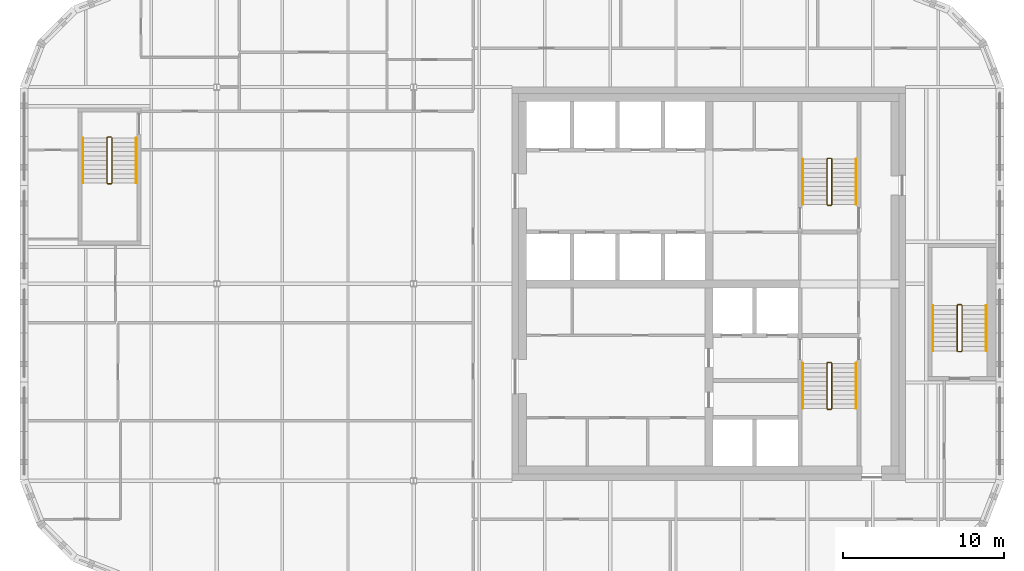
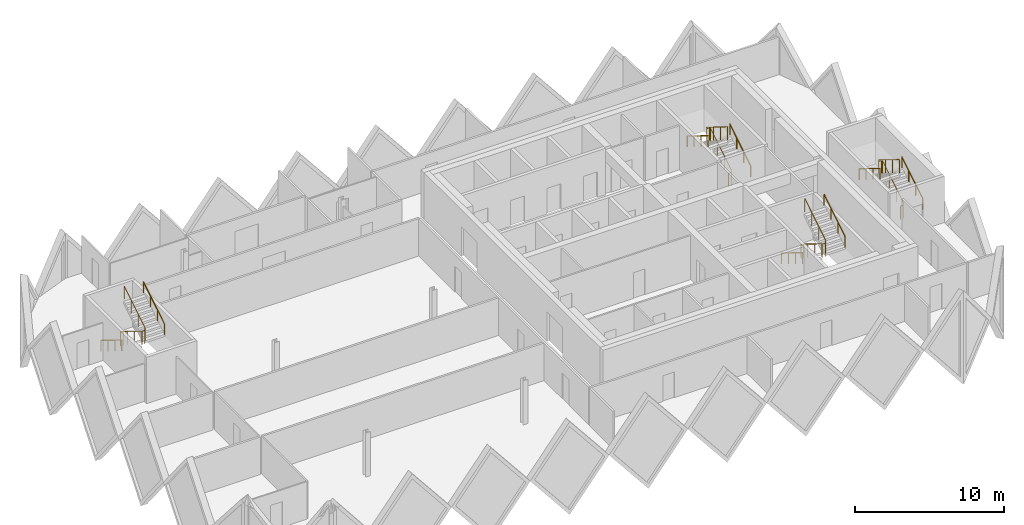
# One storey, part 10 of 10: 12 railings.
"""IFC4 building model written with IfcOpenShell, lengths in metres."""

import ifcopenshell
import ifcopenshell.guid

model = None  # the IFC model being written
_history = None  # IfcOwnerHistory: only IFC2X3 demands one
_inside = {}  # id of a spatial element -> (the spatial element, [elements in it])
_under = {}  # id of a project, library or spatial element -> (it, [spatial elements below it])
_declared = {}  # id of a project -> (the project, [libraries it declares])
_typed = {}  # id of a type object -> (the type object, [elements of that type])
_made_of = {}  # id of a material, layer set ... -> (it, [elements and type objects made of it])


def new_model(schema):
    """Start an empty IFC model of exactly this schema.

    Asked for "IFC4X3", IfcOpenShell would pick the latest addendum, in which some entities
    have other attributes; the version numbers below select the first issue.
    IFC2X3 requires an IfcOwnerHistory on every rooted entity: one is made here for all.
    """
    global model, _history
    if schema == "IFC4X3":
        model = ifcopenshell.file(schema_version=(4, 3, 0, 0))
    else:
        model = ifcopenshell.file(schema=schema)
    _inside.clear()
    _under.clear()
    _declared.clear()
    _typed.clear()
    _made_of.clear()
    _history = None
    if model.schema == "IFC2X3":
        org = make("IfcOrganization", Name="unknown")
        user = make(
            "IfcPersonAndOrganization",
            ThePerson=make("IfcPerson", FamilyName="unknown"),
            TheOrganization=org,
        )
        app = make(
            "IfcApplication",
            ApplicationDeveloper=org,
            Version="unknown",
            ApplicationFullName="unknown",
            ApplicationIdentifier="unknown",
        )
        _history = make(
            "IfcOwnerHistory",
            OwningUser=user,
            OwningApplication=app,
            ChangeAction="ADDED",
            CreationDate=0,
        )
    return model


def make(cls, **values):
    """One entity of the class cls with the attributes given. An attribute that is None is left unset."""
    return model.create_entity(
        cls, **{name: value for name, value in values.items() if value is not None}
    )


def rooted(cls, **values):
    """An entity with a GlobalId (a new one), such as an element, a storey or a relation."""
    return make(cls, GlobalId=ifcopenshell.guid.new(), OwnerHistory=_history, **values)


def si_unit(unit_type, name, prefix=None):
    """IfcSIUnit, for example si_unit("LENGTHUNIT", "METRE", prefix="MILLI")."""
    return make("IfcSIUnit", UnitType=unit_type, Prefix=prefix, Name=name)


def assignment(units):
    """IfcUnitAssignment: the units of a project."""
    return None if units is None else make("IfcUnitAssignment", Units=units)


def point(xyz):
    """IfcCartesianPoint."""
    return None if xyz is None else make("IfcCartesianPoint", Coordinates=xyz)


def direction(xyz):
    """IfcDirection."""
    return None if xyz is None else make("IfcDirection", DirectionRatios=xyz)


def frame(location, z_axis=None, x_axis=None):
    """IfcAxis2Placement3D, a coordinate frame: its origin and axes. An axis left out is left unset."""
    return make(
        "IfcAxis2Placement3D",
        Location=point(location),
        Axis=direction(z_axis),
        RefDirection=direction(x_axis),
    )


def frame_2d(location, x_axis=None):
    """IfcAxis2Placement2D, a coordinate frame in the plane: its origin and x axis."""
    return make(
        "IfcAxis2Placement2D", Location=point(location), RefDirection=direction(x_axis)
    )


def origin():
    """The frame at (0, 0, 0) with its axes left unset."""
    return frame((0.0, 0.0, 0.0))


def origin_2d():
    """The frame at (0, 0) in the plane with its x axis left unset."""
    return frame_2d((0.0, 0.0))


def place(relative_to, where):
    """IfcLocalPlacement: puts the frame where relative to a parent placement (None: the world)."""
    return make(
        "IfcLocalPlacement", PlacementRelTo=relative_to, RelativePlacement=where
    )


def context(
    kind, dimensions, precision=None, world=None, true_north=None, identifier=None
):
    """IfcGeometricRepresentationContext, for example the 3D "Model" context."""
    return make(
        "IfcGeometricRepresentationContext",
        ContextIdentifier=identifier,
        ContextType=kind,
        CoordinateSpaceDimension=dimensions,
        Precision=precision,
        WorldCoordinateSystem=world,
        TrueNorth=true_north,
    )


def subcontext(parent, identifier, kind, view, scale=None):
    """IfcGeometricRepresentationSubContext, for example "Body" below "Model"."""
    return make(
        "IfcGeometricRepresentationSubContext",
        ContextIdentifier=identifier,
        ContextType=kind,
        ParentContext=parent,
        TargetScale=scale,
        TargetView=view,
    )


def project(units=None, contexts=None):
    """IfcProject with its units and contexts."""
    return rooted(
        "IfcProject",
        Name="project",
        RepresentationContexts=contexts,
        UnitsInContext=assignment(units),
    )


def spatial(cls, under=None, at=None, **own):
    """A site, building, storey or space (cls), placed at a placement, below another one or the project."""
    s = rooted(cls, ObjectPlacement=at, **own)
    if under is not None:
        _under.setdefault(under.id(), (under, []))[1].append(s)
    return s


def profile(cls, at=None, kind="AREA", **sizes):
    """A parametric profile (cls). Its sizes go by their IFC names, for example OverallWidth=200.0."""
    return make(cls, ProfileType=kind, Position=at, **sizes)


def circle(**sizes):
    """IfcCircleProfileDef."""
    return profile("IfcCircleProfileDef", **sizes)


def extrude(swept, where, along, depth):
    """IfcExtrudedAreaSolid: the profile swept, set in the frame where, extruded along a direction by depth."""
    return make(
        "IfcExtrudedAreaSolid",
        SweptArea=swept,
        Position=where,
        ExtrudedDirection=direction(along),
        Depth=depth,
    )


def shape(context_of_items, identifier, shape_type, items):
    """IfcShapeRepresentation: the items that make up one representation, for example the "Body"."""
    return make(
        "IfcShapeRepresentation",
        ContextOfItems=context_of_items,
        RepresentationIdentifier=identifier,
        RepresentationType=shape_type,
        Items=items,
    )


def material(Name=None, Category=None):
    """IfcMaterial."""
    return make("IfcMaterial", Name=Name, Category=Category)


def made_of(thing, what):
    """Note that an element or type object is made of a material, layer set ...; save() writes the relation."""
    if what is not None:
        _made_of.setdefault(what.id(), (what, []))[1].append(thing)
    return thing


def type_object(cls, material=None, **own):
    """A type object (cls), such as IfcWallType, which elements share."""
    return made_of(rooted(cls, **own), material)


def element(
    cls,
    number,
    at=None,
    inside=None,
    cuts=None,
    type_object=None,
    material=None,
    context=None,
    identifier="Body",
    shape_type=None,
    held_by="IfcProductDefinitionShape",
    body=None,
    shapes=None,
    **own,
):
    """One element of the class cls, such as IfcWall. Its Tag is "e" and its number.

    at: its placement. inside: the storey or other place that contains it. cuts: it is an
    opening in that element (IfcRelVoidsElement). A single representation is given by context,
    identifier, shape_type and body (its items); several are given by shapes. held_by: the class
    of the entity that holds the representations. save() writes the other relations.
    """
    e = rooted(cls, Tag="e%d" % number, ObjectPlacement=at, **own)
    if body is not None:
        shapes = [shape(context, identifier, shape_type, body)]
    if shapes is not None:
        e.Representation = make(held_by, Representations=shapes)
    if inside is not None:
        _inside.setdefault(inside.id(), (inside, []))[1].append(e)
    if cuts is not None:
        rooted(
            "IfcRelVoidsElement", RelatingBuildingElement=cuts, RelatedOpeningElement=e
        )
    if type_object is not None:
        _typed.setdefault(type_object.id(), (type_object, []))[1].append(e)
    return made_of(e, material)


def aggregate(whole, parts):
    """IfcRelAggregates: a whole, such as a stair, and the parts it consists of."""
    return rooted("IfcRelAggregates", RelatingObject=whole, RelatedObjects=parts)


def save(model, path):
    """Write the relations noted so far, then the file.

    IfcRelAggregates (storeys below a building ...), IfcRelContainedInSpatialStructure (elements
    in a storey), IfcRelDefinesByType, IfcRelAssociatesMaterial and IfcRelDeclares: one each for
    every whole, place, type object, material and project.
    """
    for whole, parts in _under.values():
        aggregate(whole, parts)
    for where, things in _inside.values():
        rooted(
            "IfcRelContainedInSpatialStructure",
            RelatedElements=things,
            RelatingStructure=where,
        )
    for kind, things in _typed.values():
        rooted("IfcRelDefinesByType", RelatedObjects=things, RelatingType=kind)
    for what, things in _made_of.values():
        rooted("IfcRelAssociatesMaterial", RelatedObjects=things, RelatingMaterial=what)
    for by, libraries in _declared.values():
        rooted("IfcRelDeclares", RelatingContext=by, RelatedDefinitions=libraries)
    model.write(path)


model = new_model("IFC4")

# Units and contexts
model_context = context("Model", 3, precision=1e-05, world=origin(), true_north=direction((0.0, 1.0)))
body_context = subcontext(model_context, "Body", "Model", "MODEL_VIEW")
ifc_project = project(units=[si_unit("LENGTHUNIT", "METRE"), si_unit("AREAUNIT", "SQUARE_METRE"), si_unit("VOLUMEUNIT", "CUBIC_METRE"), si_unit("PLANEANGLEUNIT", "RADIAN"), si_unit("MASSUNIT", "GRAM", prefix="KILO")], contexts=[model_context])

# Site, building, storey
site_placement = place(None, origin())
site = spatial("IfcSite", under=ifc_project, at=site_placement, CompositionType="ELEMENT")
building_placement = place(site_placement, origin())
building = spatial("IfcBuilding", under=site, at=building_placement, Name="Tessera Gate Towers", CompositionType="ELEMENT")
storey_placement = place(building_placement, frame((0.0, 0.0, 244.5)))
storey = spatial("IfcBuildingStorey", under=building, at=storey_placement, Name="L61", CompositionType="ELEMENT", Elevation=244.5)

# Railings
ifc_material_1 = material(Name="Steel 350W", Category="steel")
railing_type_1 = type_object("IfcRailingType", Name="STAIR GUARD 1100", PredefinedType="GUARDRAIL", material=ifc_material_1)
railing_1_placement = place(storey_placement, frame((50.27490234375, 31.72509765625, 0.0)))
element("IfcRailing", 1, at=railing_1_placement, inside=storey, type_object=railing_type_1, Name="L61 ST1 stair guard 1", PredefinedType="GUARDRAIL", context=body_context, shape_type="SweptSolid", body=[
    extrude(circle(Radius=0.02392578125, at=origin_2d()), frame((0.0, 0.0, 1.076171875), z_axis=(-1.0, 0.0, 0.0), x_axis=(0.0, -1.0, 0.0)), (0.0, 0.0, 1.0), 0.199951171875),
    extrude(circle(Radius=0.02392578125, at=origin_2d()), frame((-0.199951171875, 0.0, 1.076171875), z_axis=(-0.268277960024, -0.268277960024, 0.925231793839), x_axis=(0.707106781187, -0.707106781187, 0.0)), (0.0, 0.0, 1.0), 0.1865234375),
    extrude(circle(Radius=0.02392578125, at=origin_2d()), frame((-0.25, -0.050048828125, 1.24853515625), z_axis=(0.0, -0.851089632645, 0.525020415988), x_axis=(1.0, 0.0, 0.0)), (0.0, 0.0, 1.0), 3.2900390625),
    extrude(circle(Radius=0.02392578125, at=origin_2d()), frame((-0.25, -2.85009765625, 2.97607421875), z_axis=(0.707106781187, -0.707106781187, 0.0), x_axis=(0.707106781187, 0.707106781187, 0.0)), (0.0, 0.0, 1.0), 0.07080078125),
    extrude(circle(Radius=0.02392578125, at=origin_2d()), frame((-0.199951171875, -2.900146484375, 2.97607421875), z_axis=(1.0, 0.0, 0.0), x_axis=(0.0, 1.0, 0.0)), (0.0, 0.0, 1.0), 0.199951171875),
    extrude(circle(Radius=0.02392578125, at=origin_2d()), frame((0.0, -2.900146484375, 2.97607421875), z_axis=(0.267953482034, 0.267953482034, 0.925419830635), x_axis=(-0.707106781187, 0.707106781187, 0.0)), (0.0, 0.0, 1.0), 0.186767578125),
    extrude(circle(Radius=0.02392578125, at=origin_2d()), frame((0.050048828125, -2.85009765625, 3.14892578125), z_axis=(0.0, 0.851089632645, 0.525020415988), x_axis=(-1.0, 0.0, 0.0)), (0.0, 0.0, 1.0), 3.2900390625),
    extrude(circle(Radius=0.02099609375, at=origin_2d()), origin(), (0.0, 0.0, 1.0), 1.052001953125),
    extrude(circle(Radius=0.02099609375, at=origin_2d()), frame((-0.199951171875, 0.0, 0.0)), (0.0, 0.0, 1.0), 1.052001953125),
    extrude(circle(Radius=0.02099609375, at=origin_2d()), frame((-0.25, -0.050048828125, 0.172607421875)), (0.0, 0.0, 1.0), 1.052001953125),
    extrude(circle(Radius=0.02099609375, at=origin_2d()), frame((-0.25, -0.9833984375, 0.748291015625)), (0.0, 0.0, 1.0), 1.052001953125),
    extrude(circle(Radius=0.02099609375, at=origin_2d()), frame((-0.25, -1.916748046875, 1.32421875)), (0.0, 0.0, 1.0), 1.052001953125),
    extrude(circle(Radius=0.02099609375, at=origin_2d()), frame((-0.25, -2.85009765625, 1.89990234375)), (0.0, 0.0, 1.0), 1.052001953125),
    extrude(circle(Radius=0.02099609375, at=origin_2d()), frame((-0.199951171875, -2.900146484375, 1.89990234375)), (0.0, 0.0, 1.0), 1.052001953125),
    extrude(circle(Radius=0.02099609375, at=origin_2d()), frame((0.0, -2.900146484375, 1.89990234375)), (0.0, 0.0, 1.0), 1.052001953125),
    extrude(circle(Radius=0.02099609375, at=origin_2d()), frame((0.050048828125, -2.85009765625, 2.07275390625)), (0.0, 0.0, 1.0), 1.052001953125),
    extrude(circle(Radius=0.02099609375, at=origin_2d()), frame((0.050048828125, -1.916748046875, 2.6484375)), (0.0, 0.0, 1.0), 1.052001953125),
    extrude(circle(Radius=0.02099609375, at=origin_2d()), frame((0.050048828125, -0.9833984375, 3.224365234375)), (0.0, 0.0, 1.0), 1.052001953125),
    extrude(circle(Radius=0.02099609375, at=origin_2d()), frame((0.050048828125, -0.050048828125, 3.800048828125)), (0.0, 0.0, 1.0), 1.052001953125),
])
railing_2_placement = place(storey_placement, frame((50.074951171875, 41.47509765625, 0.0)))
element("IfcRailing", 2, at=railing_2_placement, inside=storey, type_object=railing_type_1, Name="L61 ST2 stair guard 1", PredefinedType="GUARDRAIL", context=body_context, shape_type="SweptSolid", body=[
    extrude(circle(Radius=0.02392578125, at=origin_2d()), frame((0.0, 0.0, 1.076171875), z_axis=(1.0, 0.0, 0.0), x_axis=(0.0, 1.0, 0.0)), (0.0, 0.0, 1.0), 0.199951171875),
    extrude(circle(Radius=0.02392578125, at=origin_2d()), frame((0.199951171875, 0.0, 1.076171875), z_axis=(0.268371968888, 0.267062837333, 0.925556009775), x_axis=(-0.705375805398, 0.708833529934, 0.0)), (0.0, 0.0, 1.0), 0.1865234375),
    extrude(circle(Radius=0.02392578125, at=origin_2d()), frame((0.25, 0.0498046875, 1.24853515625), z_axis=(0.0, 0.851089632645, 0.525020415988), x_axis=(-1.0, 0.0, 0.0)), (0.0, 0.0, 1.0), 3.2900390625),
    extrude(circle(Radius=0.02392578125, at=origin_2d()), frame((0.25, 2.849853515625, 2.97607421875), z_axis=(-0.707106781187, 0.707106781187, 0.0), x_axis=(-0.707106781187, -0.707106781187, 0.0)), (0.0, 0.0, 1.0), 0.07080078125),
    extrude(circle(Radius=0.02392578125, at=origin_2d()), frame((0.199951171875, 2.89990234375, 2.97607421875), z_axis=(-1.0, 0.0, 0.0), x_axis=(0.0, -1.0, 0.0)), (0.0, 0.0, 1.0), 0.199951171875),
    extrude(circle(Radius=0.02392578125, at=origin_2d()), frame((0.0, 2.89990234375, 2.97607421875), z_axis=(-0.267953482034, -0.267953482034, 0.925419830635), x_axis=(0.707106781187, -0.707106781187, 0.0)), (0.0, 0.0, 1.0), 0.186767578125),
    extrude(circle(Radius=0.02392578125, at=origin_2d()), frame((-0.050048828125, 2.849853515625, 3.14892578125), z_axis=(0.0, -0.851089632645, 0.525020415988), x_axis=(1.0, 0.0, 0.0)), (0.0, 0.0, 1.0), 3.2900390625),
    extrude(circle(Radius=0.02099609375, at=origin_2d()), origin(), (0.0, 0.0, 1.0), 1.052001953125),
    extrude(circle(Radius=0.02099609375, at=origin_2d()), frame((0.199951171875, 0.0, 0.0)), (0.0, 0.0, 1.0), 1.052001953125),
    extrude(circle(Radius=0.02099609375, at=origin_2d()), frame((0.25, 0.0498046875, 0.172607421875)), (0.0, 0.0, 1.0), 1.052001953125),
    extrude(circle(Radius=0.02099609375, at=origin_2d()), frame((0.25, 0.983154296875, 0.748291015625)), (0.0, 0.0, 1.0), 1.052001953125),
    extrude(circle(Radius=0.02099609375, at=origin_2d()), frame((0.25, 1.91650390625, 1.32421875)), (0.0, 0.0, 1.0), 1.052001953125),
    extrude(circle(Radius=0.02099609375, at=origin_2d()), frame((0.25, 2.849853515625, 1.89990234375)), (0.0, 0.0, 1.0), 1.052001953125),
    extrude(circle(Radius=0.02099609375, at=origin_2d()), frame((0.199951171875, 2.89990234375, 1.89990234375)), (0.0, 0.0, 1.0), 1.052001953125),
    extrude(circle(Radius=0.02099609375, at=origin_2d()), frame((0.0, 2.89990234375, 1.89990234375)), (0.0, 0.0, 1.0), 1.052001953125),
    extrude(circle(Radius=0.02099609375, at=origin_2d()), frame((-0.050048828125, 2.849853515625, 2.07275390625)), (0.0, 0.0, 1.0), 1.052001953125),
    extrude(circle(Radius=0.02099609375, at=origin_2d()), frame((-0.050048828125, 1.91650390625, 2.6484375)), (0.0, 0.0, 1.0), 1.052001953125),
    extrude(circle(Radius=0.02099609375, at=origin_2d()), frame((-0.050048828125, 0.983154296875, 3.224365234375)), (0.0, 0.0, 1.0), 1.052001953125),
    extrude(circle(Radius=0.02099609375, at=origin_2d()), frame((-0.050048828125, 0.0498046875, 3.800048828125)), (0.0, 0.0, 1.0), 1.052001953125),
])
railing_3_placement = place(storey_placement, frame((5.64990234375, 45.699951171875, 0.0)))
element("IfcRailing", 3, at=railing_3_placement, inside=storey, type_object=railing_type_1, Name="L61 ST3 stair guard 1", PredefinedType="GUARDRAIL", context=body_context, shape_type="SweptSolid", body=[
    extrude(circle(Radius=0.02392578125, at=origin_2d()), frame((0.0, 0.0, 1.076171875), z_axis=(-1.0, 0.0, 0.0), x_axis=(0.0, -1.0, 0.0)), (0.0, 0.0, 1.0), 0.199951171875),
    extrude(circle(Radius=0.02392578125, at=origin_2d()), frame((-0.199951171875, 0.0, 1.076171875), z_axis=(-0.268277960024, -0.268277960024, 0.925231793839), x_axis=(0.707106781187, -0.707106781187, 0.0)), (0.0, 0.0, 1.0), 0.1865234375),
    extrude(circle(Radius=0.02392578125, at=origin_2d()), frame((-0.25, -0.050048828125, 1.24853515625), z_axis=(0.0, -0.851069175582, 0.525053576669), x_axis=(1.0, 0.0, 0.0)), (0.0, 0.0, 1.0), 3.289794921875),
    extrude(circle(Radius=0.02392578125, at=origin_2d()), frame((-0.25, -2.849853515625, 2.97607421875), z_axis=(0.707106781187, -0.707106781187, 0.0), x_axis=(0.707106781187, 0.707106781187, 0.0)), (0.0, 0.0, 1.0), 0.07080078125),
    extrude(circle(Radius=0.02392578125, at=origin_2d()), frame((-0.199951171875, -2.89990234375, 2.97607421875), z_axis=(1.0, 0.0, 0.0), x_axis=(0.0, 1.0, 0.0)), (0.0, 0.0, 1.0), 0.199951171875),
    extrude(circle(Radius=0.02392578125, at=origin_2d()), frame((0.0, -2.89990234375, 2.97607421875), z_axis=(0.267953482034, 0.267953482034, 0.925419830635), x_axis=(-0.707106781187, 0.707106781187, 0.0)), (0.0, 0.0, 1.0), 0.186767578125),
    extrude(circle(Radius=0.02392578125, at=origin_2d()), frame((0.050048828125, -2.849853515625, 3.14892578125), z_axis=(0.0, 0.851069175582, 0.525053576669), x_axis=(-1.0, 0.0, 0.0)), (0.0, 0.0, 1.0), 3.289794921875),
    extrude(circle(Radius=0.02099609375, at=origin_2d()), origin(), (0.0, 0.0, 1.0), 1.052001953125),
    extrude(circle(Radius=0.02099609375, at=origin_2d()), frame((-0.199951171875, 0.0, 0.0)), (0.0, 0.0, 1.0), 1.052001953125),
    extrude(circle(Radius=0.02099609375, at=origin_2d()), frame((-0.25, -0.050048828125, 0.172607421875)), (0.0, 0.0, 1.0), 1.052001953125),
    extrude(circle(Radius=0.02099609375, at=origin_2d()), frame((-0.25, -0.9833984375, 0.748291015625)), (0.0, 0.0, 1.0), 1.052001953125),
    extrude(circle(Radius=0.02099609375, at=origin_2d()), frame((-0.25, -1.91650390625, 1.32421875)), (0.0, 0.0, 1.0), 1.052001953125),
    extrude(circle(Radius=0.02099609375, at=origin_2d()), frame((-0.25, -2.849853515625, 1.89990234375)), (0.0, 0.0, 1.0), 1.052001953125),
    extrude(circle(Radius=0.02099609375, at=origin_2d()), frame((-0.199951171875, -2.89990234375, 1.89990234375)), (0.0, 0.0, 1.0), 1.052001953125),
    extrude(circle(Radius=0.02099609375, at=origin_2d()), frame((0.0, -2.89990234375, 1.89990234375)), (0.0, 0.0, 1.0), 1.052001953125),
    extrude(circle(Radius=0.02099609375, at=origin_2d()), frame((0.050048828125, -2.849853515625, 2.07275390625)), (0.0, 0.0, 1.0), 1.052001953125),
    extrude(circle(Radius=0.02099609375, at=origin_2d()), frame((0.050048828125, -1.91650390625, 2.6484375)), (0.0, 0.0, 1.0), 1.052001953125),
    extrude(circle(Radius=0.02099609375, at=origin_2d()), frame((0.050048828125, -0.9833984375, 3.224365234375)), (0.0, 0.0, 1.0), 1.052001953125),
    extrude(circle(Radius=0.02099609375, at=origin_2d()), frame((0.050048828125, -0.050048828125, 3.800048828125)), (0.0, 0.0, 1.0), 1.052001953125),
])
railing_4_placement = place(storey_placement, frame((58.14990234375, 32.39990234375, 0.0)))
element("IfcRailing", 4, at=railing_4_placement, inside=storey, type_object=railing_type_1, Name="L61 ST5 stair guard 1", PredefinedType="GUARDRAIL", context=body_context, shape_type="SweptSolid", body=[
    extrude(circle(Radius=0.02392578125, at=origin_2d()), frame((0.0, 0.0, 1.076171875), z_axis=(1.0, 0.0, 0.0), x_axis=(0.0, 1.0, 0.0)), (0.0, 0.0, 1.0), 0.2001953125),
    extrude(circle(Radius=0.02392578125, at=origin_2d()), frame((0.2001953125, 0.0, 1.076171875), z_axis=(0.267062837333, 0.268371968888, 0.925556009775), x_axis=(-0.708833529934, 0.705375805398, 0.0)), (0.0, 0.0, 1.0), 0.1865234375),
    extrude(circle(Radius=0.02392578125, at=origin_2d()), frame((0.25, 0.050048828125, 1.24853515625), z_axis=(0.0, 0.851089632645, 0.525020415988), x_axis=(-1.0, 0.0, 0.0)), (0.0, 0.0, 1.0), 3.2900390625),
    extrude(circle(Radius=0.02392578125, at=origin_2d()), frame((0.25, 2.85009765625, 2.97607421875), z_axis=(-0.705375805398, 0.708833529934, 0.0), x_axis=(-0.708833529934, -0.705375805398, 0.0)), (0.0, 0.0, 1.0), 0.070556640625),
    extrude(circle(Radius=0.02392578125, at=origin_2d()), frame((0.2001953125, 2.900146484375, 2.97607421875), z_axis=(-1.0, 0.0, 0.0), x_axis=(0.0, -1.0, 0.0)), (0.0, 0.0, 1.0), 0.2001953125),
    extrude(circle(Radius=0.02392578125, at=origin_2d()), frame((0.0, 2.900146484375, 2.97607421875), z_axis=(-0.266739603011, -0.268047150085, 0.925743328097), x_axis=(0.708833529934, -0.705375805398, 0.0)), (0.0, 0.0, 1.0), 0.186767578125),
    extrude(circle(Radius=0.02392578125, at=origin_2d()), frame((-0.0498046875, 2.85009765625, 3.14892578125), z_axis=(0.0, -0.851089632645, 0.525020415988), x_axis=(1.0, 0.0, 0.0)), (0.0, 0.0, 1.0), 3.2900390625),
    extrude(circle(Radius=0.02099609375, at=origin_2d()), origin(), (0.0, 0.0, 1.0), 1.052001953125),
    extrude(circle(Radius=0.02099609375, at=origin_2d()), frame((0.2001953125, 0.0, 0.0)), (0.0, 0.0, 1.0), 1.052001953125),
    extrude(circle(Radius=0.02099609375, at=origin_2d()), frame((0.25, 0.050048828125, 0.172607421875)), (0.0, 0.0, 1.0), 1.052001953125),
    extrude(circle(Radius=0.02099609375, at=origin_2d()), frame((0.25, 0.9833984375, 0.748291015625)), (0.0, 0.0, 1.0), 1.052001953125),
    extrude(circle(Radius=0.02099609375, at=origin_2d()), frame((0.25, 1.916748046875, 1.32421875)), (0.0, 0.0, 1.0), 1.052001953125),
    extrude(circle(Radius=0.02099609375, at=origin_2d()), frame((0.25, 2.85009765625, 1.89990234375)), (0.0, 0.0, 1.0), 1.052001953125),
    extrude(circle(Radius=0.02099609375, at=origin_2d()), frame((0.2001953125, 2.900146484375, 1.89990234375)), (0.0, 0.0, 1.0), 1.052001953125),
    extrude(circle(Radius=0.02099609375, at=origin_2d()), frame((0.0, 2.900146484375, 1.89990234375)), (0.0, 0.0, 1.0), 1.052001953125),
    extrude(circle(Radius=0.02099609375, at=origin_2d()), frame((-0.0498046875, 2.85009765625, 2.07275390625)), (0.0, 0.0, 1.0), 1.052001953125),
    extrude(circle(Radius=0.02099609375, at=origin_2d()), frame((-0.0498046875, 1.916748046875, 2.6484375)), (0.0, 0.0, 1.0), 1.052001953125),
    extrude(circle(Radius=0.02099609375, at=origin_2d()), frame((-0.0498046875, 0.9833984375, 3.224365234375)), (0.0, 0.0, 1.0), 1.052001953125),
    extrude(circle(Radius=0.02099609375, at=origin_2d()), frame((-0.0498046875, 0.050048828125, 3.800048828125)), (0.0, 0.0, 1.0), 1.052001953125),
])
ifc_material_2 = material(Name="Steel 350W", Category="steel")
railing_type_2 = type_object("IfcRailingType", Name="STAIR HANDRAIL 900", PredefinedType="HANDRAIL", material=ifc_material_2)
railing_5_placement = place(storey_placement, frame((48.52490234375, 31.675048828125, 0.172607421875)))
element("IfcRailing", 5, at=railing_5_placement, inside=storey, type_object=railing_type_2, Name="L61 ST1 stair handrail 1", PredefinedType="HANDRAIL", context=body_context, shape_type="SweptSolid", body=[
    extrude(circle(Radius=0.02392578125, at=origin_2d()), frame((0.0, 0.0, 0.8759765625), z_axis=(0.0, -0.851089632645, 0.525020415988), x_axis=(1.0, 0.0, 0.0)), (0.0, 0.0, 1.0), 3.2900390625),
    extrude(circle(Radius=0.02099609375, at=origin_2d()), origin(), (0.0, 0.0, 1.0), 0.851806640625),
    extrude(circle(Radius=0.02099609375, at=origin_2d()), frame((0.0, -0.933349609375, 0.57568359375)), (0.0, 0.0, 1.0), 0.851806640625),
    extrude(circle(Radius=0.02099609375, at=origin_2d()), frame((0.0, -1.86669921875, 1.151611328125)), (0.0, 0.0, 1.0), 0.851806640625),
    extrude(circle(Radius=0.02099609375, at=origin_2d()), frame((0.0, -2.800048828125, 1.727294921875)), (0.0, 0.0, 1.0), 0.851806640625),
])
for number, where, name in (
    (6, (51.824951171875, 28.875, 2.07275390625), "L61 ST1 stair handrail 2"),
    (7, (51.824951171875, 41.52490234375, 0.172607421875), "L61 ST2 stair handrail 1"),
):
    element("IfcRailing", number, at=place(storey_placement, frame(where)), inside=storey, type_object=railing_type_2, Name=name, PredefinedType="HANDRAIL", context=body_context, shape_type="SweptSolid", body=[
        extrude(circle(Radius=0.02392578125, at=origin_2d()), frame((0.0, 0.0, 0.8759765625), z_axis=(0.0, 0.851089632645, 0.525020415988), x_axis=(-1.0, 0.0, 0.0)), (0.0, 0.0, 1.0), 3.2900390625),
        extrude(circle(Radius=0.02099609375, at=origin_2d()), origin(), (0.0, 0.0, 1.0), 0.851806640625),
        extrude(circle(Radius=0.02099609375, at=origin_2d()), frame((0.0, 0.933349609375, 0.57568359375)), (0.0, 0.0, 1.0), 0.851806640625),
        extrude(circle(Radius=0.02099609375, at=origin_2d()), frame((0.0, 1.86669921875, 1.151611328125)), (0.0, 0.0, 1.0), 0.851806640625),
        extrude(circle(Radius=0.02099609375, at=origin_2d()), frame((0.0, 2.800048828125, 1.727294921875)), (0.0, 0.0, 1.0), 0.851806640625),
    ])
railing_6_placement = place(storey_placement, frame((48.52490234375, 44.324951171875, 2.07275390625)))
element("IfcRailing", 8, at=railing_6_placement, inside=storey, type_object=railing_type_2, Name="L61 ST2 stair handrail 2", PredefinedType="HANDRAIL", context=body_context, shape_type="SweptSolid", body=[
    extrude(circle(Radius=0.02392578125, at=origin_2d()), frame((0.0, 0.0, 0.8759765625), z_axis=(0.0, -0.851089632645, 0.525020415988), x_axis=(1.0, 0.0, 0.0)), (0.0, 0.0, 1.0), 3.2900390625),
    extrude(circle(Radius=0.02099609375, at=origin_2d()), origin(), (0.0, 0.0, 1.0), 0.851806640625),
    extrude(circle(Radius=0.02099609375, at=origin_2d()), frame((0.0, -0.933349609375, 0.57568359375)), (0.0, 0.0, 1.0), 0.851806640625),
    extrude(circle(Radius=0.02099609375, at=origin_2d()), frame((0.0, -1.86669921875, 1.151611328125)), (0.0, 0.0, 1.0), 0.851806640625),
    extrude(circle(Radius=0.02099609375, at=origin_2d()), frame((0.0, -2.800048828125, 1.727294921875)), (0.0, 0.0, 1.0), 0.851806640625),
])
railing_7_placement = place(storey_placement, frame((3.89990234375, 45.64990234375, 0.172607421875)))
element("IfcRailing", 9, at=railing_7_placement, inside=storey, type_object=railing_type_2, Name="L61 ST3 stair handrail 1", PredefinedType="HANDRAIL", context=body_context, shape_type="SweptSolid", body=[
    extrude(circle(Radius=0.02392578125, at=origin_2d()), frame((0.0, 0.0, 0.8759765625), z_axis=(0.0, -0.851069175582, 0.525053576669), x_axis=(1.0, 0.0, 0.0)), (0.0, 0.0, 1.0), 3.289794921875),
    extrude(circle(Radius=0.02099609375, at=origin_2d()), origin(), (0.0, 0.0, 1.0), 0.851806640625),
    extrude(circle(Radius=0.02099609375, at=origin_2d()), frame((0.0, -0.933349609375, 0.57568359375)), (0.0, 0.0, 1.0), 0.851806640625),
    extrude(circle(Radius=0.02099609375, at=origin_2d()), frame((0.0, -1.866455078125, 1.151611328125)), (0.0, 0.0, 1.0), 0.851806640625),
    extrude(circle(Radius=0.02099609375, at=origin_2d()), frame((0.0, -2.7998046875, 1.727294921875)), (0.0, 0.0, 1.0), 0.851806640625),
])
railing_8_placement = place(storey_placement, frame((7.199951171875, 42.85009765625, 2.07275390625)))
element("IfcRailing", 10, at=railing_8_placement, inside=storey, type_object=railing_type_2, Name="L61 ST3 stair handrail 2", PredefinedType="HANDRAIL", context=body_context, shape_type="SweptSolid", body=[
    extrude(circle(Radius=0.02392578125, at=origin_2d()), frame((0.0, 0.0, 0.8759765625), z_axis=(0.0, 0.851069175582, 0.525053576669), x_axis=(-1.0, 0.0, 0.0)), (0.0, 0.0, 1.0), 3.289794921875),
    extrude(circle(Radius=0.02099609375, at=origin_2d()), origin(), (0.0, 0.0, 1.0), 0.851806640625),
    extrude(circle(Radius=0.02099609375, at=origin_2d()), frame((0.0, 0.933349609375, 0.57568359375)), (0.0, 0.0, 1.0), 0.851806640625),
    extrude(circle(Radius=0.02099609375, at=origin_2d()), frame((0.0, 1.866455078125, 1.151611328125)), (0.0, 0.0, 1.0), 0.851806640625),
    extrude(circle(Radius=0.02099609375, at=origin_2d()), frame((0.0, 2.7998046875, 1.727294921875)), (0.0, 0.0, 1.0), 0.851806640625),
])
railing_9_placement = place(storey_placement, frame((59.89990234375, 32.449951171875, 0.172607421875)))
element("IfcRailing", 11, at=railing_9_placement, inside=storey, type_object=railing_type_2, Name="L61 ST5 stair handrail 1", PredefinedType="HANDRAIL", context=body_context, shape_type="SweptSolid", body=[
    extrude(circle(Radius=0.02392578125, at=origin_2d()), frame((0.0, 0.0, 0.8759765625), z_axis=(0.0, 0.851089632645, 0.525020415988), x_axis=(-1.0, 0.0, 0.0)), (0.0, 0.0, 1.0), 3.2900390625),
    extrude(circle(Radius=0.02099609375, at=origin_2d()), origin(), (0.0, 0.0, 1.0), 0.851806640625),
    extrude(circle(Radius=0.02099609375, at=origin_2d()), frame((0.0, 0.933349609375, 0.57568359375)), (0.0, 0.0, 1.0), 0.851806640625),
    extrude(circle(Radius=0.02099609375, at=origin_2d()), frame((0.0, 1.86669921875, 1.151611328125)), (0.0, 0.0, 1.0), 0.851806640625),
    extrude(circle(Radius=0.02099609375, at=origin_2d()), frame((0.0, 2.800048828125, 1.727294921875)), (0.0, 0.0, 1.0), 0.851806640625),
])
railing_10_placement = place(storey_placement, frame((56.60009765625, 35.25, 2.07275390625)))
element("IfcRailing", 12, at=railing_10_placement, inside=storey, type_object=railing_type_2, Name="L61 ST5 stair handrail 2", PredefinedType="HANDRAIL", context=body_context, shape_type="SweptSolid", body=[
    extrude(circle(Radius=0.02392578125, at=origin_2d()), frame((0.0, 0.0, 0.8759765625), z_axis=(0.0, -0.851089632645, 0.525020415988), x_axis=(1.0, 0.0, 0.0)), (0.0, 0.0, 1.0), 3.2900390625),
    extrude(circle(Radius=0.02099609375, at=origin_2d()), origin(), (0.0, 0.0, 1.0), 0.851806640625),
    extrude(circle(Radius=0.02099609375, at=origin_2d()), frame((0.0, -0.933349609375, 0.57568359375)), (0.0, 0.0, 1.0), 0.851806640625),
    extrude(circle(Radius=0.02099609375, at=origin_2d()), frame((0.0, -1.86669921875, 1.151611328125)), (0.0, 0.0, 1.0), 0.851806640625),
    extrude(circle(Radius=0.02099609375, at=origin_2d()), frame((0.0, -2.800048828125, 1.727294921875)), (0.0, 0.0, 1.0), 0.851806640625),
])

save(model, "model.ifc")
